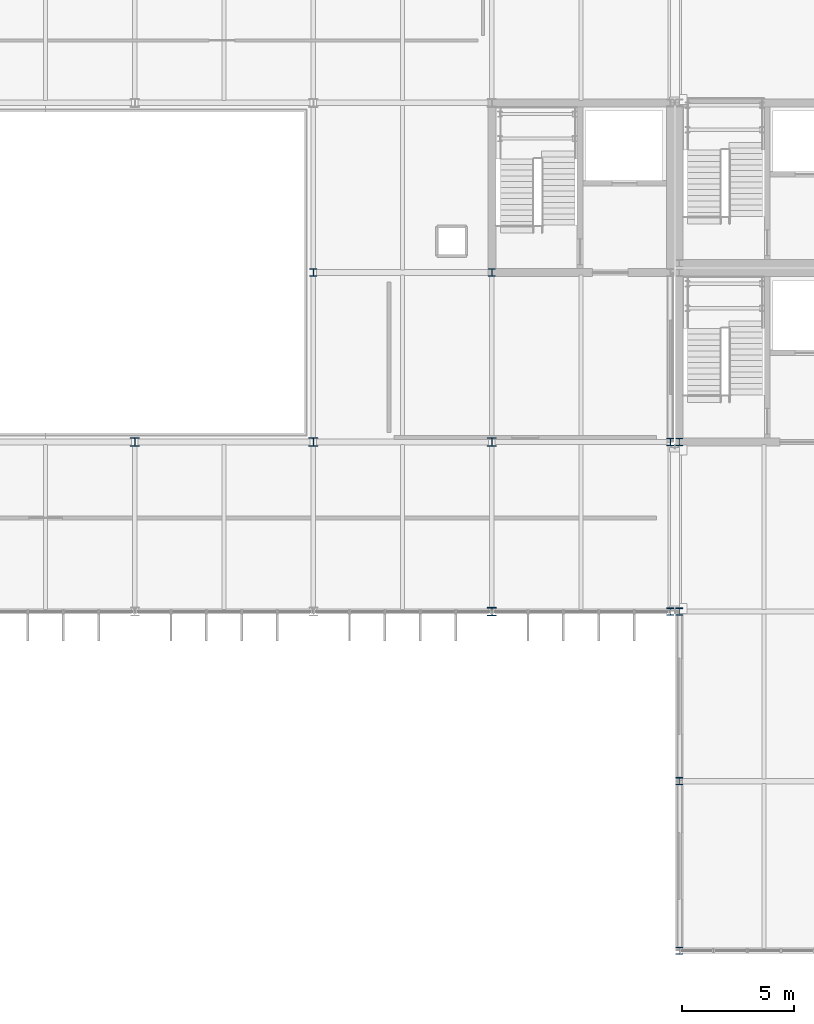
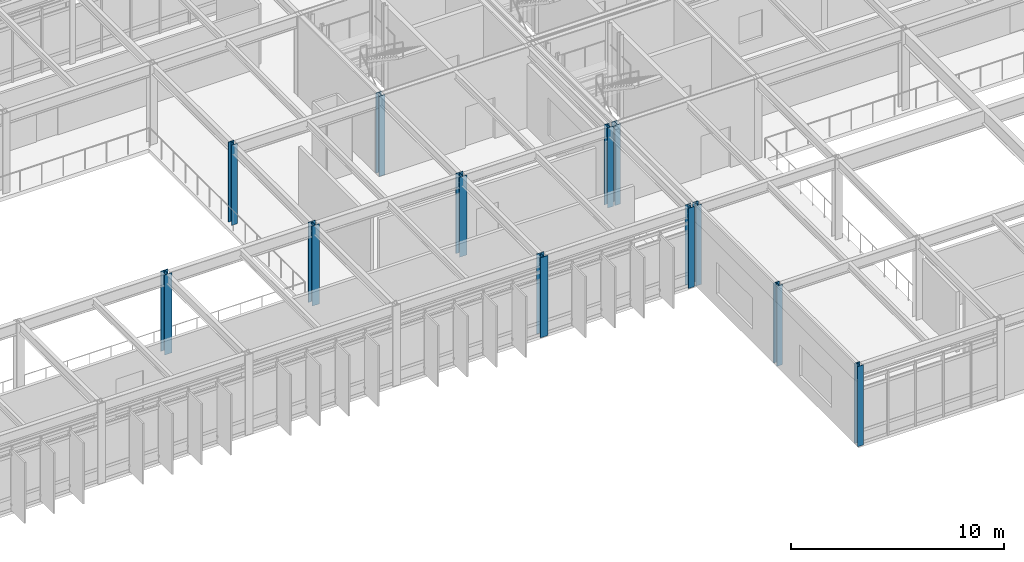
# One storey, part 9 of 104: 12 columns.
"""IFC4 building model written with IfcOpenShell, lengths in metres."""

from ifc_helpers import new_model, si_unit, direction, frame, origin, origin_2d, place, context, subcontext, project, spatial, i_section, extrude, material, material_profile, profile_set, type_object, element, save


model = new_model("IFC4")

# Units and contexts
model_context = context("Model", 3, precision=1e-05, world=origin(), true_north=direction((0.0, 1.0)))
body_context = subcontext(model_context, "Body", "Model", "MODEL_VIEW")
ifc_project = project(units=[si_unit("LENGTHUNIT", "METRE"), si_unit("AREAUNIT", "SQUARE_METRE"), si_unit("VOLUMEUNIT", "CUBIC_METRE"), si_unit("PLANEANGLEUNIT", "RADIAN"), si_unit("MASSUNIT", "GRAM", prefix="KILO")], contexts=[model_context])

# Site, building, storey
site_placement = place(None, origin())
site = spatial("IfcSite", under=ifc_project, at=site_placement, CompositionType="ELEMENT")
building_placement = place(site_placement, origin())
building = spatial("IfcBuilding", under=site, at=building_placement, Name="Zulena Civic Courthouse", CompositionType="ELEMENT")
storey_placement = place(building_placement, frame((0.0, 0.0, 10.800048828125)))
storey = spatial("IfcBuildingStorey", under=building, at=storey_placement, Name="L02", CompositionType="ELEMENT", Elevation=10.800048828125)

# Columns
ifc_material = material(Name="Steel ASTM A992 Grade 50", Category="steel")
ifc_material_profile_1 = material_profile(ifc_material, i_section(OverallWidth=0.31298828125, OverallDepth=0.3330078125, WebThickness=0.01806640625, FlangeThickness=0.0283203125, FilletRadius=0.01513671875, at=origin_2d()), Name="W12X120")
ifc_profile_set_1 = profile_set([ifc_material_profile_1], Name="Steel ASTM A992 Grade 50")
column_type_1 = type_object("IfcColumnType", Name="Col_W12X120", PredefinedType="COLUMN", material=ifc_profile_set_1)
for number, where, z_axis, x_axis, name in (
    (1, (124.39990234375, 0.0, 0.0), (0.0, 0.0, 1.0), (1.0, 0.0, 0.0), "col:V1:L02:124.4:0.0"),
    (2, (124.39990234375, 7.60009765625, 0.0), (0.0, 0.0, 1.0), (1.0, 0.0, 0.0), "col:V1:L02:124.4:7.6"),
    (3, (124.39990234375, 15.199951171875, 0.0), (0.0, 0.0, 1.0), (1.0, 0.0, 0.0), "col:V1:L02:124.4:15.2"),
    (4, (124.39990234375, 22.800048828125, 0.0), (0.0, 0.0, 1.0), (1.0, 0.0, 0.0), "col:V1:L02:124.4:22.8"),
    (5, (108.0, 30.39990234375, 0.0), (0.0, 0.0, 1.0), (1.0, 0.0, 0.0), "col:V4:L02:108.0:30.4"),
    (6, (116.0, 30.39990234375, 0.0), (0.0, 0.0, 1.0), (1.0, 0.0, 0.0), "col:V4:L02:116.0:30.4"),
    (7, (124.0, 15.199951171875, 0.0), (0.0, 0.0, 1.0), (1.0, 0.0, 0.0), "col:V4:L02:124.0:15.2"),
    (8, (124.0, 22.800048828125, 0.0), (0.0, 0.0, 1.0), (1.0, 0.0, 0.0), "col:V4:L02:124.0:22.8"),
):
    element("IfcColumn", number, at=place(storey_placement, frame(where, z_axis=z_axis, x_axis=x_axis)), inside=storey, type_object=column_type_1, Name=name, PredefinedType="COLUMN", context=body_context, shape_type="SweptSolid", body=[
        extrude(i_section(OverallWidth=0.31298828125, OverallDepth=0.3330078125, WebThickness=0.01806640625, FlangeThickness=0.0283203125, FilletRadius=0.01513671875, at=origin_2d()), origin(), (0.0, 0.0, 1.0), 4.58984375),
    ])
ifc_material_profile_2 = material_profile(ifc_material, i_section(OverallWidth=0.39404296875, OverallDepth=0.3759765625, WebThickness=0.017333984375, FlangeThickness=0.027587890625, FilletRadius=0.01513671875, at=origin_2d()), Name="W14X145")
ifc_profile_set_2 = profile_set([ifc_material_profile_2], Name="Steel ASTM A992 Grade 50")
column_type_2 = type_object("IfcColumnType", Name="Col_W14X145", PredefinedType="COLUMN", material=ifc_profile_set_2)
for number, where, z_axis, x_axis, name in (
    (9, (100.0, 22.800048828125, 0.0), (0.0, 0.0, 1.0), (1.0, 0.0, 0.0), "col:V4:L02:100.0:22.8"),
    (10, (108.0, 22.800048828125, 0.0), (0.0, 0.0, 1.0), (1.0, 0.0, 0.0), "col:V4:L02:108.0:22.8"),
    (11, (116.0, 22.800048828125, 0.0), (0.0, 0.0, 1.0), (1.0, 0.0, 0.0), "col:V4:L02:116.0:22.8"),
):
    element("IfcColumn", number, at=place(storey_placement, frame(where, z_axis=z_axis, x_axis=x_axis)), inside=storey, type_object=column_type_2, Name=name, PredefinedType="COLUMN", context=body_context, shape_type="SweptSolid", body=[
        extrude(i_section(OverallWidth=0.39404296875, OverallDepth=0.3759765625, WebThickness=0.017333984375, FlangeThickness=0.027587890625, FilletRadius=0.01513671875, at=origin_2d()), origin(), (0.0, 0.0, 1.0), 4.58984375),
    ])
ifc_material_profile_3 = material_profile(ifc_material, i_section(OverallWidth=0.39892578125, OverallDepth=0.386962890625, WebThickness=0.02099609375, FlangeThickness=0.033203125, FilletRadius=0.01513671875, at=origin_2d()), Name="W14X176")
ifc_profile_set_3 = profile_set([ifc_material_profile_3], Name="Steel ASTM A992 Grade 50")
column_type_3 = type_object("IfcColumnType", Name="Col_W14X176", PredefinedType="COLUMN", material=ifc_profile_set_3)
column_placement = place(storey_placement, frame((116.0, 15.199951171875, 0.0), z_axis=(0.0, 0.0, 1.0), x_axis=(1.0, 0.0, 0.0)))
element("IfcColumn", 12, at=column_placement, inside=storey, type_object=column_type_3, Name="col:V4:L02:116.0:15.2", PredefinedType="COLUMN", context=body_context, shape_type="SweptSolid", body=[
    extrude(i_section(OverallWidth=0.39892578125, OverallDepth=0.386962890625, WebThickness=0.02099609375, FlangeThickness=0.033203125, FilletRadius=0.01513671875, at=origin_2d()), origin(), (0.0, 0.0, 1.0), 4.58984375),
])

save(model, "model.ifc")
